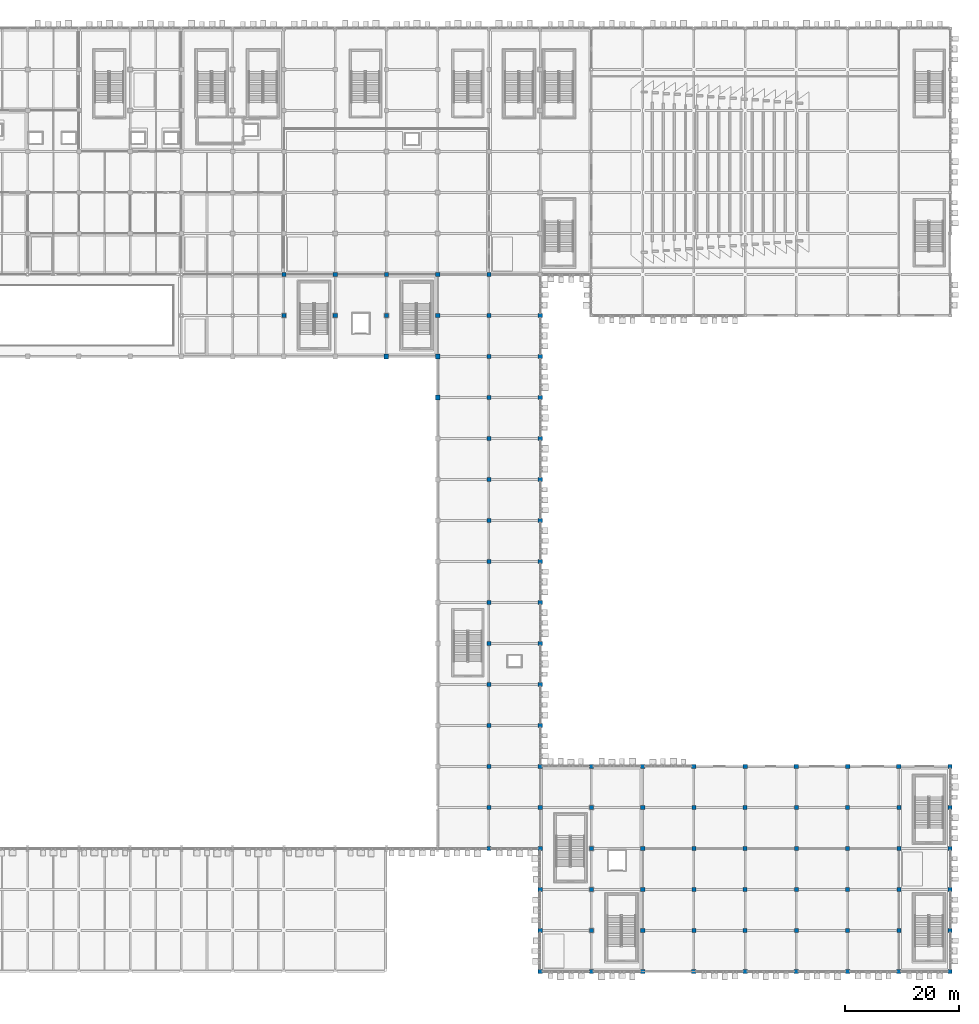
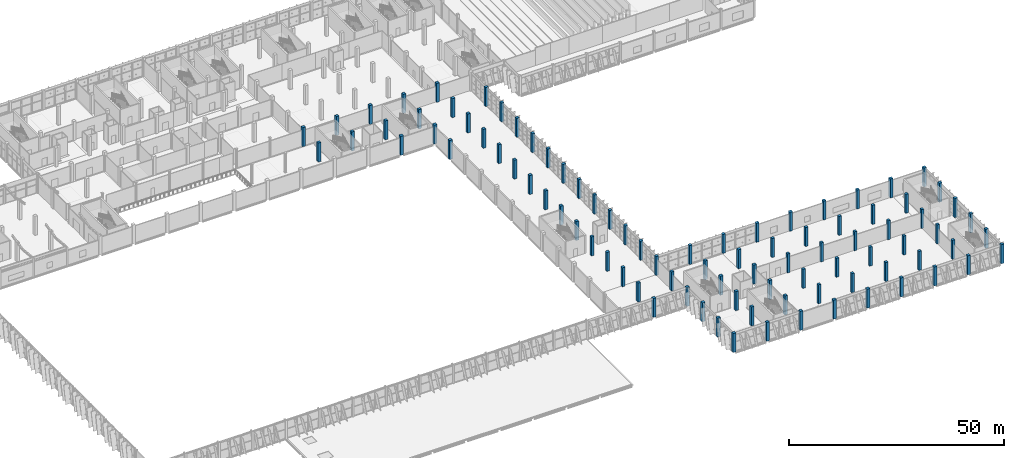
# One storey, part 7 of 189: 91 columns.
"""IFC4 building model written with IfcOpenShell, lengths in metres."""

from ifc_helpers import new_model, si_unit, direction, frame, origin, origin_2d, place, context, subcontext, project, spatial, rectangle, extrude, material, material_profile, profile_set, type_object, element, save


model = new_model("IFC4")

# Units and contexts
model_context = context("Model", 3, precision=1e-05, world=origin(), true_north=direction((0.0, 1.0)))
body_context = subcontext(model_context, "Body", "Model", "MODEL_VIEW")
ifc_project = project(units=[si_unit("LENGTHUNIT", "METRE"), si_unit("AREAUNIT", "SQUARE_METRE"), si_unit("VOLUMEUNIT", "CUBIC_METRE"), si_unit("PLANEANGLEUNIT", "RADIAN"), si_unit("MASSUNIT", "GRAM", prefix="KILO")], contexts=[model_context])

# Site, building, storey
site_placement = place(None, origin())
site = spatial("IfcSite", under=ifc_project, at=site_placement, CompositionType="ELEMENT")
building_placement = place(site_placement, origin())
building = spatial("IfcBuilding", under=site, at=building_placement, Name="Celestram Park Convention Centre", CompositionType="ELEMENT")
storey_placement = place(building_placement, frame((0.0, 0.0, 5.39990234375)))
storey = spatial("IfcBuildingStorey", under=building, at=storey_placement, Name="L01", CompositionType="ELEMENT", Elevation=5.39990234375)

# Columns
ifc_material = material(Name="Concrete C40/50", Category="concrete")
ifc_material_profile_1 = material_profile(ifc_material, rectangle(XDim=0.699951171875, YDim=0.699951171875, at=origin_2d()), Name="RC700X700")
ifc_profile_set_1 = profile_set([ifc_material_profile_1], Name="Concrete C40/50")
column_type_1 = type_object("IfcColumnType", Name="STR-COL-RC700", PredefinedType="COLUMN", material=ifc_profile_set_1)
for number, where, z_axis, x_axis, name in (
    (1, (171.0, 7.199951171875, 0.0), (0.0, 0.0, 1.0), (1.0, 0.0, 0.0), "Column CN-L01-226"),
    (2, (171.0, 14.39990234375, 0.0), (0.0, 0.0, 1.0), (1.0, 0.0, 0.0), "Column CN-L01-227"),
    (3, (171.0, 21.60009765625, 0.0), (0.0, 0.0, 1.0), (1.0, 0.0, 0.0), "Column CN-L01-228"),
    (4, (171.0, 28.800048828125, 0.0), (0.0, 0.0, 1.0), (1.0, 0.0, 0.0), "Column CN-L01-229"),
    (5, (180.0, 7.199951171875, 0.0), (0.0, 0.0, 1.0), (1.0, 0.0, 0.0), "Column CN-L01-234"),
    (6, (180.0, 14.39990234375, 0.0), (0.0, 0.0, 1.0), (1.0, 0.0, 0.0), "Column CN-L01-235"),
    (7, (180.0, 21.60009765625, 0.0), (0.0, 0.0, 1.0), (1.0, 0.0, 0.0), "Column CN-L01-236"),
    (8, (180.0, 28.800048828125, 0.0), (0.0, 0.0, 1.0), (1.0, 0.0, 0.0), "Column CN-L01-237"),
    (9, (189.0, 7.199951171875, 0.0), (0.0, 0.0, 1.0), (1.0, 0.0, 0.0), "Column CN-L01-242"),
    (10, (189.0, 14.39990234375, 0.0), (0.0, 0.0, 1.0), (1.0, 0.0, 0.0), "Column CN-L01-243"),
    (11, (189.0, 21.60009765625, 0.0), (0.0, 0.0, 1.0), (1.0, 0.0, 0.0), "Column CN-L01-244"),
    (12, (189.0, 28.800048828125, 0.0), (0.0, 0.0, 1.0), (1.0, 0.0, 0.0), "Column CN-L01-245"),
    (13, (198.0, 7.199951171875, 0.0), (0.0, 0.0, 1.0), (1.0, 0.0, 0.0), "Column CN-L01-250"),
    (14, (198.0, 14.39990234375, 0.0), (0.0, 0.0, 1.0), (1.0, 0.0, 0.0), "Column CN-L01-251"),
    (15, (198.0, 21.60009765625, 0.0), (0.0, 0.0, 1.0), (1.0, 0.0, 0.0), "Column CN-L01-252"),
    (16, (198.0, 28.800048828125, 0.0), (0.0, 0.0, 1.0), (1.0, 0.0, 0.0), "Column CN-L01-253"),
    (17, (207.0, 7.199951171875, 0.0), (0.0, 0.0, 1.0), (1.0, 0.0, 0.0), "Column CN-L01-258"),
    (18, (207.0, 14.39990234375, 0.0), (0.0, 0.0, 1.0), (1.0, 0.0, 0.0), "Column CN-L01-259"),
    (19, (207.0, 21.60009765625, 0.0), (0.0, 0.0, 1.0), (1.0, 0.0, 0.0), "Column CN-L01-260"),
    (20, (207.0, 28.800048828125, 0.0), (0.0, 0.0, 1.0), (1.0, 0.0, 0.0), "Column CN-L01-261"),
):
    element("IfcColumn", number, at=place(storey_placement, frame(where, z_axis=z_axis, x_axis=x_axis)), inside=storey, type_object=column_type_1, Name=name, PredefinedType="COLUMN", context=body_context, shape_type="SweptSolid", body=[
        extrude(rectangle(XDim=0.699951171875, YDim=0.699951171875, at=origin_2d()), origin(), (0.0, 0.0, 1.0), 5.400146484375),
    ])
ifc_material_profile_2 = material_profile(ifc_material, rectangle(XDim=0.75, YDim=0.75, at=origin_2d()), Name="RC750X750")
ifc_profile_set_2 = profile_set([ifc_material_profile_2], Name="Concrete C40/50")
column_type_2 = type_object("IfcColumnType", Name="STR-COL-RC750", PredefinedType="COLUMN", material=ifc_profile_set_2)
for number, where, z_axis, x_axis, name in (
    (21, (99.0, 115.199951171875, 0.0), (0.0, 0.0, 1.0), (1.0, 0.0, 0.0), "Column CN-L01-109"),
    (22, (99.0, 122.39990234375, 0.0), (0.0, 0.0, 1.0), (1.0, 0.0, 0.0), "Column CN-L01-110"),
    (23, (108.0, 115.199951171875, 0.0), (0.0, 0.0, 1.0), (1.0, 0.0, 0.0), "Column CN-L01-119"),
    (24, (108.0, 122.39990234375, 0.0), (0.0, 0.0, 1.0), (1.0, 0.0, 0.0), "Column CN-L01-120"),
    (25, (117.0, 115.199951171875, 0.0), (0.0, 0.0, 1.0), (1.0, 0.0, 0.0), "Column CN-L01-129"),
    (26, (117.0, 122.39990234375, 0.0), (0.0, 0.0, 1.0), (1.0, 0.0, 0.0), "Column CN-L01-130"),
    (27, (126.0, 115.199951171875, 0.0), (0.0, 0.0, 1.0), (1.0, 0.0, 0.0), "Column CN-L01-150"),
    (28, (126.0, 122.39990234375, 0.0), (0.0, 0.0, 1.0), (1.0, 0.0, 0.0), "Column CN-L01-151"),
    (29, (135.0, 21.60009765625, 0.0), (0.0, 0.0, 1.0), (1.0, 0.0, 0.0), "Column CN-L01-158"),
    (30, (135.0, 28.800048828125, 0.0), (0.0, 0.0, 1.0), (1.0, 0.0, 0.0), "Column CN-L01-159"),
    (31, (135.0, 36.0, 0.0), (0.0, 0.0, 1.0), (1.0, 0.0, 0.0), "Column CN-L01-160"),
    (32, (135.0, 43.199951171875, 0.0), (0.0, 0.0, 1.0), (1.0, 0.0, 0.0), "Column CN-L01-161"),
    (33, (135.0, 50.39990234375, 0.0), (0.0, 0.0, 1.0), (1.0, 0.0, 0.0), "Column CN-L01-162"),
    (34, (135.0, 57.60009765625, 0.0), (0.0, 0.0, 1.0), (1.0, 0.0, 0.0), "Column CN-L01-163"),
    (35, (135.0, 64.800048828125, 0.0), (0.0, 0.0, 1.0), (1.0, 0.0, 0.0), "Column CN-L01-164"),
    (36, (135.0, 72.0, 0.0), (0.0, 0.0, 1.0), (1.0, 0.0, 0.0), "Column CN-L01-165"),
    (37, (135.0, 79.199951171875, 0.0), (0.0, 0.0, 1.0), (1.0, 0.0, 0.0), "Column CN-L01-166"),
    (38, (135.0, 86.39990234375, 0.0), (0.0, 0.0, 1.0), (1.0, 0.0, 0.0), "Column CN-L01-167"),
    (39, (135.0, 93.60009765625, 0.0), (0.0, 0.0, 1.0), (1.0, 0.0, 0.0), "Column CN-L01-168"),
    (40, (135.0, 100.800048828125, 0.0), (0.0, 0.0, 1.0), (1.0, 0.0, 0.0), "Column CN-L01-169"),
    (41, (135.0, 108.0, 0.0), (0.0, 0.0, 1.0), (1.0, 0.0, 0.0), "Column CN-L01-170"),
    (42, (135.0, 115.199951171875, 0.0), (0.0, 0.0, 1.0), (1.0, 0.0, 0.0), "Column CN-L01-171"),
    (43, (135.0, 122.39990234375, 0.0), (0.0, 0.0, 1.0), (1.0, 0.0, 0.0), "Column CN-L01-172"),
    (44, (144.0, 0.0, 0.0), (0.0, 0.0, 1.0), (1.0, 0.0, 0.0), "Column CN-L01-179"),
    (45, (144.0, 7.199951171875, 0.0), (0.0, 0.0, 1.0), (1.0, 0.0, 0.0), "Column CN-L01-180"),
    (46, (144.0, 14.39990234375, 0.0), (0.0, 0.0, 1.0), (1.0, 0.0, 0.0), "Column CN-L01-181"),
    (47, (144.0, 21.60009765625, 0.0), (0.0, 0.0, 1.0), (1.0, 0.0, 0.0), "Column CN-L01-182"),
    (48, (144.0, 28.800048828125, 0.0), (0.0, 0.0, 1.0), (1.0, 0.0, 0.0), "Column CN-L01-183"),
    (49, (144.0, 36.0, 0.0), (0.0, 0.0, 1.0), (1.0, 0.0, 0.0), "Column CN-L01-184"),
    (50, (144.0, 43.199951171875, 0.0), (0.0, 0.0, 1.0), (1.0, 0.0, 0.0), "Column CN-L01-185"),
    (51, (144.0, 50.39990234375, 0.0), (0.0, 0.0, 1.0), (1.0, 0.0, 0.0), "Column CN-L01-186"),
    (52, (144.0, 57.60009765625, 0.0), (0.0, 0.0, 1.0), (1.0, 0.0, 0.0), "Column CN-L01-187"),
    (53, (144.0, 64.800048828125, 0.0), (0.0, 0.0, 1.0), (1.0, 0.0, 0.0), "Column CN-L01-188"),
    (54, (144.0, 72.0, 0.0), (0.0, 0.0, 1.0), (1.0, 0.0, 0.0), "Column CN-L01-189"),
    (55, (144.0, 79.199951171875, 0.0), (0.0, 0.0, 1.0), (1.0, 0.0, 0.0), "Column CN-L01-190"),
    (56, (144.0, 86.39990234375, 0.0), (0.0, 0.0, 1.0), (1.0, 0.0, 0.0), "Column CN-L01-191"),
    (57, (144.0, 93.60009765625, 0.0), (0.0, 0.0, 1.0), (1.0, 0.0, 0.0), "Column CN-L01-192"),
    (58, (144.0, 100.800048828125, 0.0), (0.0, 0.0, 1.0), (1.0, 0.0, 0.0), "Column CN-L01-193"),
    (59, (144.0, 108.0, 0.0), (0.0, 0.0, 1.0), (1.0, 0.0, 0.0), "Column CN-L01-194"),
    (60, (144.0, 115.199951171875, 0.0), (0.0, 0.0, 1.0), (1.0, 0.0, 0.0), "Column CN-L01-195"),
    (61, (153.0, 0.0, 0.0), (0.0, 0.0, 1.0), (1.0, 0.0, 0.0), "Column CN-L01-203"),
    (62, (153.0, 7.199951171875, 0.0), (0.0, 0.0, 1.0), (1.0, 0.0, 0.0), "Column CN-L01-204"),
    (63, (153.0, 14.39990234375, 0.0), (0.0, 0.0, 1.0), (1.0, 0.0, 0.0), "Column CN-L01-205"),
    (64, (153.0, 21.60009765625, 0.0), (0.0, 0.0, 1.0), (1.0, 0.0, 0.0), "Column CN-L01-206"),
    (65, (153.0, 28.800048828125, 0.0), (0.0, 0.0, 1.0), (1.0, 0.0, 0.0), "Column CN-L01-207"),
    (66, (153.0, 36.0, 0.0), (0.0, 0.0, 1.0), (1.0, 0.0, 0.0), "Column CN-L01-208"),
    (67, (162.0, 0.0, 0.0), (0.0, 0.0, 1.0), (1.0, 0.0, 0.0), "Column CN-L01-217"),
    (68, (162.0, 7.199951171875, 0.0), (0.0, 0.0, 1.0), (1.0, 0.0, 0.0), "Column CN-L01-218"),
    (69, (162.0, 14.39990234375, 0.0), (0.0, 0.0, 1.0), (1.0, 0.0, 0.0), "Column CN-L01-219"),
    (70, (162.0, 21.60009765625, 0.0), (0.0, 0.0, 1.0), (1.0, 0.0, 0.0), "Column CN-L01-220"),
    (71, (162.0, 28.800048828125, 0.0), (0.0, 0.0, 1.0), (1.0, 0.0, 0.0), "Column CN-L01-221"),
    (72, (162.0, 36.0, 0.0), (0.0, 0.0, 1.0), (1.0, 0.0, 0.0), "Column CN-L01-222"),
    (73, (171.0, 0.0, 0.0), (0.0, 0.0, 1.0), (1.0, 0.0, 0.0), "Column CN-L01-225"),
    (74, (171.0, 36.0, 0.0), (0.0, 0.0, 1.0), (1.0, 0.0, 0.0), "Column CN-L01-230"),
    (75, (180.0, 0.0, 0.0), (0.0, 0.0, 1.0), (1.0, 0.0, 0.0), "Column CN-L01-233"),
    (76, (180.0, 36.0, 0.0), (0.0, 0.0, 1.0), (1.0, 0.0, 0.0), "Column CN-L01-238"),
    (77, (189.0, 0.0, 0.0), (0.0, 0.0, 1.0), (1.0, 0.0, 0.0), "Column CN-L01-241"),
    (78, (189.0, 36.0, 0.0), (0.0, 0.0, 1.0), (1.0, 0.0, 0.0), "Column CN-L01-246"),
    (79, (198.0, 0.0, 0.0), (0.0, 0.0, 1.0), (1.0, 0.0, 0.0), "Column CN-L01-249"),
    (80, (198.0, 36.0, 0.0), (0.0, 0.0, 1.0), (1.0, 0.0, 0.0), "Column CN-L01-254"),
    (81, (207.0, 0.0, 0.0), (0.0, 0.0, 1.0), (1.0, 0.0, 0.0), "Column CN-L01-257"),
    (82, (207.0, 36.0, 0.0), (0.0, 0.0, 1.0), (1.0, 0.0, 0.0), "Column CN-L01-262"),
    (83, (216.0, 0.0, 0.0), (0.0, 0.0, 1.0), (1.0, 0.0, 0.0), "Column CN-L01-265"),
    (84, (216.0, 7.199951171875, 0.0), (0.0, 0.0, 1.0), (1.0, 0.0, 0.0), "Column CN-L01-266"),
    (85, (216.0, 14.39990234375, 0.0), (0.0, 0.0, 1.0), (1.0, 0.0, 0.0), "Column CN-L01-267"),
    (86, (216.0, 21.60009765625, 0.0), (0.0, 0.0, 1.0), (1.0, 0.0, 0.0), "Column CN-L01-268"),
    (87, (216.0, 28.800048828125, 0.0), (0.0, 0.0, 1.0), (1.0, 0.0, 0.0), "Column CN-L01-269"),
    (88, (216.0, 36.0, 0.0), (0.0, 0.0, 1.0), (1.0, 0.0, 0.0), "Column CN-L01-270"),
):
    element("IfcColumn", number, at=place(storey_placement, frame(where, z_axis=z_axis, x_axis=x_axis)), inside=storey, type_object=column_type_2, Name=name, PredefinedType="COLUMN", context=body_context, shape_type="SweptSolid", body=[
        extrude(rectangle(XDim=0.75, YDim=0.75, at=origin_2d()), origin(), (0.0, 0.0, 1.0), 5.400146484375),
    ])
ifc_material_profile_3 = material_profile(ifc_material, rectangle(XDim=0.800048828125, YDim=0.800048828125, at=origin_2d()), Name="RC800X800")
ifc_profile_set_3 = profile_set([ifc_material_profile_3], Name="Concrete C40/50")
column_type_3 = type_object("IfcColumnType", Name="STR-COL-RC800", PredefinedType="COLUMN", material=ifc_profile_set_3)
for number, where, z_axis, x_axis, name in (
    (89, (117.0, 108.0, 0.0), (0.0, 0.0, 1.0), (1.0, 0.0, 0.0), "Column CN-L01-128"),
    (90, (126.0, 100.800048828125, 0.0), (0.0, 0.0, 1.0), (1.0, 0.0, 0.0), "Column CN-L01-148"),
    (91, (126.0, 108.0, 0.0), (0.0, 0.0, 1.0), (1.0, 0.0, 0.0), "Column CN-L01-149"),
):
    element("IfcColumn", number, at=place(storey_placement, frame(where, z_axis=z_axis, x_axis=x_axis)), inside=storey, type_object=column_type_3, Name=name, PredefinedType="COLUMN", context=body_context, shape_type="SweptSolid", body=[
        extrude(rectangle(XDim=0.800048828125, YDim=0.800048828125, at=origin_2d()), origin(), (0.0, 0.0, 1.0), 5.400146484375),
    ])

save(model, "model.ifc")
